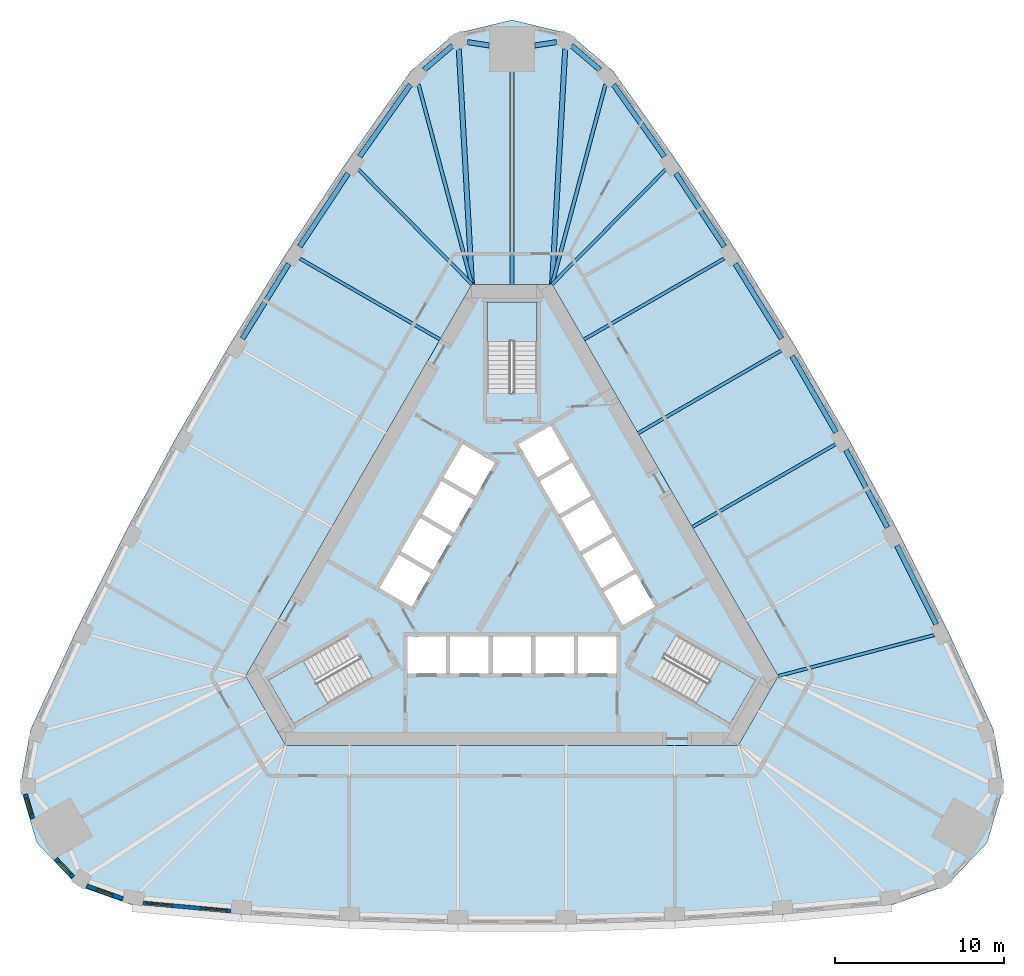
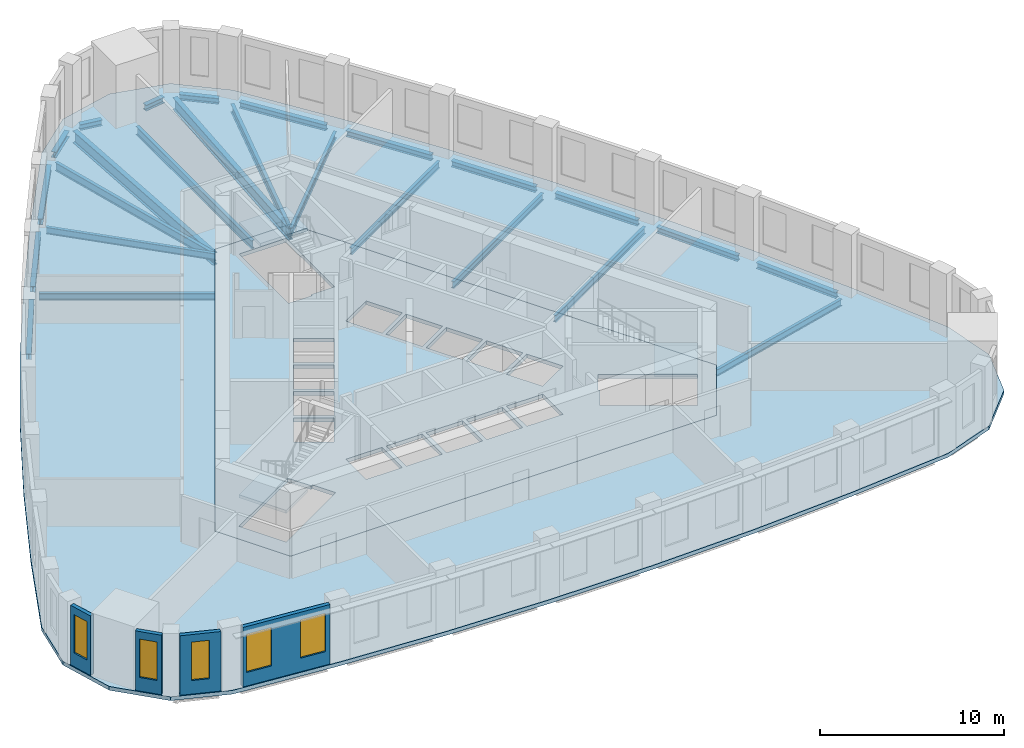
# One storey, part 2 of 9: 25 beams, 5 slabs, 5 windows, 4 walls, 5 openings, 3 elements without a shape of their own.
"""IFC4 building model written with IfcOpenShell, lengths in metres."""

from ifc_helpers import new_model, si_unit, direction, frame, frame_2d, origin, origin_2d, place, context, subcontext, project, spatial, polyline, rectangle, i_section, outline, extrude, material, layer, layer_set, material_profile, profile_set, type_object, element, fill, aggregate, save


model = new_model("IFC4")

# Units and contexts
model_context = context("Model", 3, precision=1e-05, world=origin(), true_north=direction((0.0, 1.0)))
body_context = subcontext(model_context, "Body", "Model", "MODEL_VIEW")
ifc_project = project(units=[si_unit("LENGTHUNIT", "METRE"), si_unit("AREAUNIT", "SQUARE_METRE"), si_unit("VOLUMEUNIT", "CUBIC_METRE"), si_unit("PLANEANGLEUNIT", "RADIAN"), si_unit("MASSUNIT", "GRAM", prefix="KILO")], contexts=[model_context])

# Site, building, storey
site_placement = place(None, origin())
site = spatial("IfcSite", under=ifc_project, at=site_placement, CompositionType="ELEMENT")
building_placement = place(site_placement, origin())
building = spatial("IfcBuilding", under=site, at=building_placement, Name="Mestral Congress Tower", CompositionType="ELEMENT")
storey_placement = place(building_placement, frame((0.0, 0.0, 187.800048828125)))
storey = spatial("IfcBuildingStorey", under=building, at=storey_placement, Name="L44", CompositionType="ELEMENT", Elevation=187.800048828125)

# Beams
ifc_material_1 = material(Name="Steel S355", Category="steel")
ifc_material_profile_1 = material_profile(ifc_material_1, i_section(OverallWidth=0.300048828125, OverallDepth=0.800048828125, WebThickness=0.017578125, FlangeThickness=0.032958984375, FilletRadius=0.030029296875, at=origin_2d()), Name="HEB 800")
ifc_profile_set_1 = profile_set([ifc_material_profile_1], Name="Steel S355")
beam_type_1 = type_object("IfcBeamType", Name="Floor beam HEB 800 S355", PredefinedType="BEAM", material=ifc_profile_set_1)
for number, where, z_axis, x_axis, name in (
    (1, (3.143798828125, 30.703857421875, -0.650146484375), (-0.055769084972, -0.998443693536, 0.0), (0.998443693536, -0.055769084972, 0.0), "BM-L44-RB3-N1"),
    (2, (-3.143798828125, 30.703857421875, -0.650146484375), (0.055769084972, -0.998443693536, 0.0), (0.998443693536, 0.055769084972, 0.0), "BM-L44-RB3-N3"),
):
    element("IfcBeam", number, at=place(storey_placement, frame(where, z_axis=z_axis, x_axis=x_axis)), inside=storey, type_object=beam_type_1, Name=name, PredefinedType="BEAM", context=body_context, shape_type="SweptSolid", body=[
        extrude(i_section(OverallWidth=0.300048828125, OverallDepth=0.800048828125, WebThickness=0.017578125, FlangeThickness=0.032958984375, FilletRadius=0.030029296875, at=origin_2d()), origin(), (0.0, 0.0, 1.0), 13.925537109375),
    ])
ifc_material_profile_2 = material_profile(ifc_material_1, i_section(OverallWidth=0.18994140625, OverallDepth=0.449951171875, WebThickness=0.009521484375, FlangeThickness=0.0146484375, FilletRadius=0.02099609375, at=origin_2d()), Name="IPE 450")
ifc_profile_set_2 = profile_set([ifc_material_profile_2], Name="Steel S355")
beam_type_2 = type_object("IfcBeamType", Name="Floor beam IPE 450 S355", PredefinedType="BEAM", material=ifc_profile_set_2)
beam_1_placement = place(storey_placement, frame((24.938232421875, -3.93505859375, -0.47509765625), z_axis=(-0.967265999603, -0.253764627187, 0.0), x_axis=(0.253764627187, -0.967265999603, 0.0)))
element("IfcBeam", 3, at=beam_1_placement, inside=storey, type_object=beam_type_2, Name="BM-L44-RB3-E01", PredefinedType="BEAM", context=body_context, shape_type="SweptSolid", body=[
    extrude(i_section(OverallWidth=0.18994140625, OverallDepth=0.449951171875, WebThickness=0.009521484375, FlangeThickness=0.0146484375, FilletRadius=0.02099609375, at=origin_2d()), origin(), (0.0, 0.0, 1.0), 9.516845703125),
])
beam_2_placement = place(storey_placement, frame((19.100830078125, 7.332763671875, -0.47509765625), z_axis=(-0.866036015824, -0.499981618958, 0.0), x_axis=(0.499981618958, -0.866036015824, 0.0)))
element("IfcBeam", 4, at=beam_2_placement, inside=storey, type_object=beam_type_2, Name="BM-L44-RB3-E03", PredefinedType="BEAM", context=body_context, shape_type="SweptSolid", body=[
    extrude(i_section(OverallWidth=0.18994140625, OverallDepth=0.449951171875, WebThickness=0.009521484375, FlangeThickness=0.0146484375, FilletRadius=0.02099609375, at=origin_2d()), origin(), (0.0, 0.0, 1.0), 9.758056640625),
])
beam_3_placement = place(storey_placement, frame((15.90087890625, 12.875244140625, -0.47509765625), z_axis=(-0.866025182435, -0.500000383388, 0.0), x_axis=(0.500000383388, -0.866025182435, 0.0)))
element("IfcBeam", 5, at=beam_3_placement, inside=storey, type_object=beam_type_2, Name="BM-L44-RB3-E04", PredefinedType="BEAM", context=body_context, shape_type="SweptSolid", body=[
    extrude(i_section(OverallWidth=0.18994140625, OverallDepth=0.449951171875, WebThickness=0.009521484375, FlangeThickness=0.0146484375, FilletRadius=0.02099609375, at=origin_2d()), origin(), (0.0, 0.0, 1.0), 9.75830078125),
])
beam_4_placement = place(storey_placement, frame((12.532958984375, 18.317138671875, -0.47509765625), z_axis=(-0.866022320763, -0.500005339912, 0.0), x_axis=(0.500005339912, -0.866022320763, 0.0)))
element("IfcBeam", 6, at=beam_4_placement, inside=storey, type_object=beam_type_2, Name="BM-L44-RB3-E05", PredefinedType="BEAM", context=body_context, shape_type="SweptSolid", body=[
    extrude(i_section(OverallWidth=0.18994140625, OverallDepth=0.449951171875, WebThickness=0.009521484375, FlangeThickness=0.0146484375, FilletRadius=0.02099609375, at=origin_2d()), origin(), (0.0, 0.0, 1.0), 9.5625),
])
for number, where, z_axis, x_axis, name in (
    (7, (9.06103515625, 23.564697265625, -0.47509765625), (-0.703377189025, -0.710816804781, 0.0), (0.710816804781, -0.703377189025, 0.0), "BM-L44-RB3-E06"),
    (8, (-9.06103515625, 23.564697265625, -0.47509765625), (0.703377189025, -0.710816804781, 0.0), (0.710816804781, 0.703377189025, 0.0), "BM-L44-RB3-W01"),
):
    element("IfcBeam", number, at=place(storey_placement, frame(where, z_axis=z_axis, x_axis=x_axis)), inside=storey, type_object=beam_type_2, Name=name, PredefinedType="BEAM", context=body_context, shape_type="SweptSolid", body=[
        extrude(i_section(OverallWidth=0.18994140625, OverallDepth=0.449951171875, WebThickness=0.009521484375, FlangeThickness=0.0146484375, FilletRadius=0.02099609375, at=origin_2d()), origin(), (0.0, 0.0, 1.0), 9.516845703125),
    ])
beam_5_placement = place(storey_placement, frame((-12.532958984375, 18.317138671875, -0.47509765625), z_axis=(0.866022320763, -0.500005339912, 0.0), x_axis=(0.500005339912, 0.866022320763, 0.0)))
element("IfcBeam", 9, at=beam_5_placement, inside=storey, type_object=beam_type_2, Name="BM-L44-RB3-W02", PredefinedType="BEAM", context=body_context, shape_type="SweptSolid", body=[
    extrude(i_section(OverallWidth=0.18994140625, OverallDepth=0.449951171875, WebThickness=0.009521484375, FlangeThickness=0.0146484375, FilletRadius=0.02099609375, at=origin_2d()), origin(), (0.0, 0.0, 1.0), 9.5625),
])
ifc_material_profile_3 = material_profile(ifc_material_1, i_section(OverallWidth=0.2099609375, OverallDepth=0.550048828125, WebThickness=0.010986328125, FlangeThickness=0.01708984375, FilletRadius=0.02392578125, at=origin_2d()), Name="IPE 550")
ifc_profile_set_3 = profile_set([ifc_material_profile_3], Name="Steel S355")
beam_type_3 = type_object("IfcBeamType", Name="Floor beam IPE 550 S355", PredefinedType="BEAM", material=ifc_profile_set_3)
beam_6_placement = place(storey_placement, frame((5.5283203125, 28.609375, -0.525146484375), z_axis=(-0.258577363905, -0.965990552167, 0.0), x_axis=(0.965990552167, -0.258577363905, 0.0)))
element("IfcBeam", 10, at=beam_6_placement, inside=storey, type_object=beam_type_3, Name="BM-L44-RB3-E07", PredefinedType="BEAM", context=body_context, shape_type="SweptSolid", body=[
    extrude(i_section(OverallWidth=0.2099609375, OverallDepth=0.550048828125, WebThickness=0.010986328125, FlangeThickness=0.01708984375, FilletRadius=0.02392578125, at=origin_2d()), origin(), (0.0, 0.0, 1.0), 12.22509765625),
])
beam_7_placement = place(storey_placement, frame((0.0, 29.354248046875, -0.525146484375), z_axis=(0.0, -1.0, 0.0), x_axis=(1.0, 0.0, 0.0)))
element("IfcBeam", 11, at=beam_7_placement, inside=storey, type_object=beam_type_3, Name="BM-L44-RB3-N", PredefinedType="BEAM", context=body_context, shape_type="SweptSolid", body=[
    extrude(i_section(OverallWidth=0.2099609375, OverallDepth=0.550048828125, WebThickness=0.010986328125, FlangeThickness=0.01708984375, FilletRadius=0.02392578125, at=origin_2d()), origin(), (0.0, 0.0, 1.0), 12.55419921875),
])
beam_8_placement = place(storey_placement, frame((-5.5283203125, 28.609375, -0.525146484375), z_axis=(0.258577363905, -0.965990552167, 0.0), x_axis=(0.965990552167, 0.258577363905, 0.0)))
element("IfcBeam", 12, at=beam_8_placement, inside=storey, type_object=beam_type_3, Name="BM-L44-RB3-W00", PredefinedType="BEAM", context=body_context, shape_type="SweptSolid", body=[
    extrude(i_section(OverallWidth=0.2099609375, OverallDepth=0.550048828125, WebThickness=0.010986328125, FlangeThickness=0.01708984375, FilletRadius=0.02392578125, at=origin_2d()), origin(), (0.0, 0.0, 1.0), 12.22509765625),
])
ifc_material_profile_4 = material_profile(ifc_material_1, i_section(OverallWidth=0.300048828125, OverallDepth=0.389892578125, WebThickness=0.010986328125, FlangeThickness=0.01904296875, FilletRadius=0.027099609375, at=origin_2d()), Name="HEA 400")
ifc_profile_set_4 = profile_set([ifc_material_profile_4], Name="Steel S355")
beam_type_4 = type_object("IfcBeamType", Name="Spandrel beam HEA 400 S355", PredefinedType="BEAM", material=ifc_profile_set_4)
beam_9_placement = place(storey_placement, frame((25.064453125, -3.294677734375, -0.445068359375), z_axis=(-0.446255467462, 0.894905613884, 0.0), x_axis=(-0.894905613884, -0.446255467462, 0.0)))
element("IfcBeam", 13, at=beam_9_placement, inside=storey, type_object=beam_type_4, Name="SP-L44-SB3-E01", PredefinedType="BEAM", context=body_context, shape_type="SweptSolid", body=[
    extrude(i_section(OverallWidth=0.300048828125, OverallDepth=0.389892578125, WebThickness=0.010986328125, FlangeThickness=0.01904296875, FilletRadius=0.027099609375, at=origin_2d()), origin(), (0.0, 0.0, 1.0), 5.199462890625),
])
for number, where, z_axis, x_axis, name in (
    (14, (22.1923828125, 2.424072265625, -0.445068359375), (-0.473332458078, 0.880883865291, 0.0), (-0.880883865291, -0.473332458078, 0.0), "SP-L44-SB3-E02"),
    (15, (19.147216796875, 8.052490234375, -0.445068359375), (-0.499992051641, 0.866029992723, 0.0), (-0.866029992723, -0.499992051641, 0.0), "SP-L44-SB3-E03"),
):
    element("IfcBeam", number, at=place(storey_placement, frame(where, z_axis=z_axis, x_axis=x_axis)), inside=storey, type_object=beam_type_4, Name=name, PredefinedType="BEAM", context=body_context, shape_type="SweptSolid", body=[
        extrude(i_section(OverallWidth=0.300048828125, OverallDepth=0.389892578125, WebThickness=0.010986328125, FlangeThickness=0.01904296875, FilletRadius=0.027099609375, at=origin_2d()), origin(), (0.0, 0.0, 1.0), 5.19970703125),
    ])
for number, where, z_axis, x_axis, name in (
    (16, (15.931640625, 13.585693359375, -0.445068359375), (-0.526220441006, 0.8503481919, 0.0), (-0.8503481919, -0.526220441006, 0.0), "SP-L44-SB3-E04"),
    (17, (12.548583984375, 19.017822265625, -0.445068359375), (-0.551901475275, 0.833909324561, 0.0), (-0.833909324561, -0.551901475275, 0.0), "SP-L44-SB3-E05"),
):
    element("IfcBeam", number, at=place(storey_placement, frame(where, z_axis=z_axis, x_axis=x_axis)), inside=storey, type_object=beam_type_4, Name=name, PredefinedType="BEAM", context=body_context, shape_type="SweptSolid", body=[
        extrude(i_section(OverallWidth=0.300048828125, OverallDepth=0.389892578125, WebThickness=0.010986328125, FlangeThickness=0.01904296875, FilletRadius=0.027099609375, at=origin_2d()), origin(), (0.0, 0.0, 1.0), 5.199462890625),
    ])
beam_10_placement = place(storey_placement, frame((9.00146484375, 24.34423828125, -0.445068359375), z_axis=(-0.577107284947, 0.816668342512, 0.0), x_axis=(-0.816668342512, -0.577107284947, 0.0)))
element("IfcBeam", 18, at=beam_10_placement, inside=storey, type_object=beam_type_4, Name="SP-L44-SB3-E06", PredefinedType="BEAM", context=body_context, shape_type="SweptSolid", body=[
    extrude(i_section(OverallWidth=0.300048828125, OverallDepth=0.389892578125, WebThickness=0.010986328125, FlangeThickness=0.01904296875, FilletRadius=0.027099609375, at=origin_2d()), origin(), (0.0, 0.0, 1.0), 5.197509765625),
])
beam_11_placement = place(storey_placement, frame((5.191162109375, 29.47509765625, -0.445068359375), z_axis=(-0.761471479234, 0.648198415852, 0.0), x_axis=(-0.648198415852, -0.761471479234, 0.0)))
element("IfcBeam", 19, at=beam_11_placement, inside=storey, type_object=beam_type_4, Name="SP-L44-SB3-E07", PredefinedType="BEAM", context=body_context, shape_type="SweptSolid", body=[
    extrude(i_section(OverallWidth=0.300048828125, OverallDepth=0.389892578125, WebThickness=0.010986328125, FlangeThickness=0.01904296875, FilletRadius=0.027099609375, at=origin_2d()), origin(), (0.0, 0.0, 1.0), 2.189697265625),
])
for number, where, z_axis, x_axis, name in (
    (20, (2.62353515625, 31.10986328125, -0.445068359375), (-0.988242111203, -0.152897121116, 0.0), (0.152897121116, -0.988242111203, 0.0), "SP-L44-SB3-N1"),
    (21, (-1.35009765625, 30.912841796875, -0.445068359375), (-0.988242111203, 0.152897121116, 0.0), (-0.152897121116, -0.988242111203, 0.0), "SP-L44-SB3-N"),
):
    element("IfcBeam", number, at=place(storey_placement, frame(where, z_axis=z_axis, x_axis=x_axis)), inside=storey, type_object=beam_type_4, Name=name, PredefinedType="BEAM", context=body_context, shape_type="SweptSolid", body=[
        extrude(i_section(OverallWidth=0.300048828125, OverallDepth=0.389892578125, WebThickness=0.010986328125, FlangeThickness=0.01904296875, FilletRadius=0.027099609375, at=origin_2d()), origin(), (0.0, 0.0, 1.0), 1.28857421875),
    ])
beam_12_placement = place(storey_placement, frame((-3.523681640625, 30.89453125, -0.445068359375), z_axis=(-0.761471479234, -0.648198415852, 0.0), x_axis=(0.648198415852, -0.761471479234, 0.0)))
element("IfcBeam", 22, at=beam_12_placement, inside=storey, type_object=beam_type_4, Name="SP-L44-SB3-N3", PredefinedType="BEAM", context=body_context, shape_type="SweptSolid", body=[
    extrude(i_section(OverallWidth=0.300048828125, OverallDepth=0.389892578125, WebThickness=0.010986328125, FlangeThickness=0.01904296875, FilletRadius=0.027099609375, at=origin_2d()), origin(), (0.0, 0.0, 1.0), 2.189697265625),
])
beam_13_placement = place(storey_placement, frame((-6.001953125, 28.5888671875, -0.445068359375), z_axis=(-0.577107284947, -0.816668342512, 0.0), x_axis=(0.816668342512, -0.577107284947, 0.0)))
element("IfcBeam", 23, at=beam_13_placement, inside=storey, type_object=beam_type_4, Name="SP-L44-SB3-W00", PredefinedType="BEAM", context=body_context, shape_type="SweptSolid", body=[
    extrude(i_section(OverallWidth=0.300048828125, OverallDepth=0.389892578125, WebThickness=0.010986328125, FlangeThickness=0.01904296875, FilletRadius=0.027099609375, at=origin_2d()), origin(), (0.0, 0.0, 1.0), 5.197509765625),
])
for number, where, z_axis, x_axis, name in (
    (24, (-9.678955078125, 23.353759765625, -0.445068359375), (-0.551901475275, -0.833909324561, 0.0), (0.833909324561, -0.551901475275, 0.0), "SP-L44-SB3-W01"),
    (25, (-13.195556640625, 18.007080078125, -0.445068359375), (-0.526220441006, -0.8503481919, 0.0), (0.8503481919, -0.526220441006, 0.0), "SP-L44-SB3-W02"),
):
    element("IfcBeam", number, at=place(storey_placement, frame(where, z_axis=z_axis, x_axis=x_axis)), inside=storey, type_object=beam_type_4, Name=name, PredefinedType="BEAM", context=body_context, shape_type="SweptSolid", body=[
        extrude(i_section(OverallWidth=0.300048828125, OverallDepth=0.389892578125, WebThickness=0.010986328125, FlangeThickness=0.01904296875, FilletRadius=0.027099609375, at=origin_2d()), origin(), (0.0, 0.0, 1.0), 5.199462890625),
    ])

# Slabs
ifc_material_2 = material(Name="Concrete C35/45", Category="concrete")
ifc_layer_1 = layer(ifc_material_2, 0.25)
ifc_layer_set_1 = layer_set([ifc_layer_1], Name="Concrete C35/45")
slab_type_1 = type_object("IfcSlabType", Name="Composite floor slab 250", PredefinedType="FLOOR", material=ifc_layer_set_1)
placement_1 = place(storey_placement, frame((0.0, 0.0, -0.25)))
element("IfcSlab", 26, at=placement_1, inside=storey, type_object=slab_type_1, Name="SL-L44", PredefinedType="FLOOR", context=body_context, shape_type="SweptSolid", body=[
    extrude(outline(polyline([(-22.455078125, -19.880126953125), (-25.68212890625, -18.731689453125), (-28.073974609375, -16.20849609375), (-29.06298828125, -12.87548828125), (-28.444091796875, -9.506591796875), (-25.73779296875, -3.63720703125), (-22.8759765625, 2.1025390625), (-19.84033203125, 7.751953125), (-16.633544921875, 13.30615234375), (-13.2587890625, 18.760009765625), (-9.71923828125, 24.1083984375), (-5.9892578125, 29.38671875), (-3.381103515625, 31.607177734375), (0.0, 32.4169921875), (3.381103515625, 31.607177734375), (5.9892578125, 29.38671875), (9.71923828125, 24.1083984375), (13.2587890625, 18.760009765625), (16.633544921875, 13.30615234375), (19.84033203125, 7.751953125), (22.8759765625, 2.1025390625), (25.73779296875, -3.63720703125), (28.444091796875, -9.506591796875), (29.06298828125, -12.87548828125), (28.073974609375, -16.20849609375), (25.68212890625, -18.731689453125), (22.455078125, -19.880126953125), (16.018798828125, -20.47119140625), (9.6171875, -20.862548828125), (3.206787109375, -21.05810546875), (-3.206787109375, -21.05810546875), (-9.6171875, -20.862548828125), (-16.018798828125, -20.47119140625), (-22.455078125, -19.880126953125)]), holes=[polyline([(-2.3671875, 16.800048828125), (-15.73291015625, -6.35009765625), (-13.36572265625, -10.449951171875), (13.36572265625, -10.449951171875), (15.73291015625, -6.35009765625), (2.3671875, 16.800048828125), (-2.3671875, 16.800048828125)])]), origin(), (0.0, 0.0, 1.0), 0.25),
])
ifc_material_3 = material(Name="Concrete C60/75", Category="concrete")
ifc_layer_2 = layer(ifc_material_3, 0.25)
ifc_layer_set_2 = layer_set([ifc_layer_2], Name="Concrete C60/75")
slab_type_2 = type_object("IfcSlabType", Name="Core floor slab RC 250", PredefinedType="FLOOR", material=ifc_layer_set_2)
element("IfcSlab", 27, at=placement_1, inside=storey, type_object=slab_type_2, Name="L44 core floor", PredefinedType="FLOOR", context=body_context, shape_type="SweptSolid", body=[
    extrude(outline(polyline([(13.36572265625, -10.449951171875), (-13.36572265625, -10.449951171875), (-15.73291015625, -6.35009765625), (-2.3671875, 16.800048828125), (2.3671875, 16.800048828125), (15.73291015625, -6.35009765625), (13.36572265625, -10.449951171875)]), holes=[polyline([(-9.8046875, -3.95751953125), (-14.37744140625, -6.59765625), (-12.90234375, -9.15234375), (-8.234619140625, -6.45751953125), (-8.971923828125, -5.179931640625), (-9.0673828125, -5.235107421875), (-9.8046875, -3.95751953125)]), polyline([(-3.905029296875, -4.0), (-6.175048828125, -4.0), (-6.175048828125, -6.199951171875), (-3.905029296875, -6.199951171875), (-3.905029296875, -4.0)]), polyline([(-1.385009765625, -4.0), (-3.655029296875, -4.0), (-3.655029296875, -6.199951171875), (-1.385009765625, -6.199951171875), (-1.385009765625, -4.0)]), polyline([(1.135009765625, -4.0), (-1.135009765625, -4.0), (-1.135009765625, -6.199951171875), (1.135009765625, -6.199951171875), (1.135009765625, -4.0)]), polyline([(-5.921630859375, -2.256591796875), (-4.78662109375, -0.29052734375), (-6.69189453125, 0.809326171875), (-7.826904296875, -1.156494140625), (-5.921630859375, -2.256591796875)]), polyline([(-4.66162109375, -0.07421875), (-3.526611328125, 1.8916015625), (-5.431884765625, 2.99169921875), (-6.56689453125, 1.02587890625), (-4.66162109375, -0.07421875)]), polyline([(-3.401611328125, 2.1083984375), (-2.2666015625, 4.07421875), (-4.171875, 5.174072265625), (-5.306884765625, 3.208251953125), (-3.401611328125, 2.1083984375)]), polyline([(-2.1416015625, 4.29052734375), (-1.006591796875, 6.256591796875), (-2.911865234375, 7.3564453125), (-4.046875, 5.390625), (-2.1416015625, 4.29052734375)]), polyline([(1.47509765625, 10.469970703125), (1.47509765625, 15.75), (-1.47509765625, 15.75), (-1.47509765625, 10.360107421875), (0.0, 10.360107421875), (0.0, 10.469970703125), (1.47509765625, 10.469970703125)]), polyline([(8.329833984375, -6.512451171875), (12.90234375, -9.15234375), (14.37744140625, -6.59765625), (9.70947265625, -3.902587890625), (8.971923828125, -5.179931640625), (9.0673828125, -5.235107421875), (8.329833984375, -6.512451171875)]), polyline([(3.655029296875, -4.0), (1.385009765625, -4.0), (1.385009765625, -6.199951171875), (3.655029296875, -6.199951171875), (3.655029296875, -4.0)]), polyline([(6.175048828125, -4.0), (3.905029296875, -4.0), (3.905029296875, -6.199951171875), (6.175048828125, -6.199951171875), (6.175048828125, -4.0)]), polyline([(5.41650390625, -1.3818359375), (6.551513671875, -3.34765625), (8.456787109375, -2.247802734375), (7.322021484375, -0.28173828125), (5.41650390625, -1.3818359375)]), polyline([(4.156494140625, 0.800537109375), (5.29150390625, -1.165283203125), (7.197021484375, -0.065185546875), (6.06201171875, 1.900634765625), (4.156494140625, 0.800537109375)]), polyline([(2.896484375, 2.98291015625), (4.031494140625, 1.01708984375), (5.93701171875, 2.1171875), (4.802001953125, 4.0830078125), (2.896484375, 2.98291015625)]), polyline([(3.5419921875, 6.265380859375), (1.63671875, 5.165283203125), (2.771484375, 3.199462890625), (4.677001953125, 4.29931640625), (3.5419921875, 6.265380859375)]), polyline([(2.281982421875, 8.44775390625), (0.376708984375, 7.34765625), (1.51171875, 5.3818359375), (3.4169921875, 6.481689453125), (2.281982421875, 8.44775390625)])]), origin(), (0.0, 0.0, 1.0), 0.25),
])

# Stair, slab
stair_type = type_object("IfcStairType", Name="Exit stair 1400", PredefinedType="HALF_TURN_STAIR", material=ifc_material_3)
placement_2 = place(storey_placement, origin())
stair_1 = element("IfcStair", 28, at=placement_2, inside=storey, type_object=stair_type, Name="L44 ST1", PredefinedType="HALF_TURN_STAIR")
ifc_layer_3 = layer(ifc_material_3, 0.199951171875)
ifc_layer_set_3 = layer_set([ifc_layer_3], Name="Concrete C60/75")
slab_type_3 = type_object("IfcSlabType", Name="Exit stair landing 200", PredefinedType="LANDING", material=ifc_layer_set_3)
placement_3 = place(storey_placement, frame((0.0, 0.0, 1.89990234375)))
slab_3 = element("IfcSlab", 29, at=placement_3, type_object=slab_type_3, Name="ST1 landing 1", PredefinedType="LANDING", context=body_context, shape_type="SweptSolid", body=[
    extrude(outline(polyline([(10.879638671875, -7.99609375), (12.364501953125, -5.424072265625), (14.39111328125, -6.593994140625), (12.906005859375, -9.166015625), (10.879638671875, -7.99609375)])), origin(), (0.0, 0.0, 1.0), 0.199951171875),
])
aggregate(stair_1, [slab_3])

stair_2 = element("IfcStair", 30, at=placement_2, inside=storey, type_object=stair_type, Name="L44 ST2", PredefinedType="HALF_TURN_STAIR")
slab_4 = element("IfcSlab", 31, at=placement_3, type_object=slab_type_3, Name="ST2 landing 1", PredefinedType="LANDING", context=body_context, shape_type="SweptSolid", body=[
    extrude(outline(polyline([(1.485107421875, 13.419921875), (-1.485107421875, 13.419921875), (-1.485107421875, 15.760009765625), (1.485107421875, 15.760009765625), (1.485107421875, 13.419921875)])), origin(), (0.0, 0.0, 1.0), 0.199951171875),
])
aggregate(stair_2, [slab_4])

stair_3 = element("IfcStair", 32, at=placement_2, inside=storey, type_object=stair_type, Name="L44 ST3", PredefinedType="HALF_TURN_STAIR")
slab_5 = element("IfcSlab", 33, at=placement_3, type_object=slab_type_3, Name="ST3 landing 1", PredefinedType="LANDING", context=body_context, shape_type="SweptSolid", body=[
    extrude(outline(polyline([(-12.364501953125, -5.424072265625), (-10.879638671875, -7.99609375), (-12.906005859375, -9.166015625), (-14.39111328125, -6.593994140625), (-12.364501953125, -5.424072265625)])), origin(), (0.0, 0.0, 1.0), 0.199951171875),
])
aggregate(stair_3, [slab_5])

# Wall, openings, windows
ifc_material_4 = material(Name="Precast concrete C40/50 with limestone facing", Category="masonry")
ifc_layer_4 = layer(ifc_material_4, 0.239990234375)
ifc_layer_set_4 = layer_set([ifc_layer_4], Name="Precast concrete C40/50 with limestone facing")
wall_type = type_object("IfcWallType", Name="Facade stone wall 240", PredefinedType="SOLIDWALL", material=ifc_layer_set_4)
wall_1_placement = place(storey_placement, frame((-21.797119140625, -19.769775390625, 0.0), z_axis=(0.0, 0.0, 1.0), x_axis=(0.995808712151, -0.091460422067, 0.0)))
wall_1 = element("IfcWall", 34, at=wall_1_placement, inside=storey, type_object=wall_type, Name="Facade wall F0-00", PredefinedType="SOLIDWALL", context=body_context, shape_type="SweptSolid", body=[
    extrude(rectangle(XDim=5.213134765625, YDim=0.239990234375, at=frame_2d((2.6064453125, 0.0))), origin(), (0.0, 0.0, 1.0), 3.949951171875),
])
opening_1_placement = place(wall_1_placement, frame((0.220947265625, 0.0, 0.89990234375)))
opening_1 = element("IfcOpeningElement", 35, at=opening_1_placement, cuts=wall_1, Name="Opening W4", PredefinedType="OPENING", context=body_context, shape_type="SweptSolid", body=[
    extrude(rectangle(XDim=1.5, YDim=2.550048828125, at=frame_2d((0.75, 1.27490234375))), frame((0.0, 0.1298828125, 0.0), z_axis=(0.0, -1.0, 0.0), x_axis=(1.0, 0.0, 0.0)), (0.0, 0.0, 1.0), 0.260009765625),
])
opening_2_placement = place(wall_1_placement, frame((3.452392578125, 0.0, 0.89990234375)))
opening_2 = element("IfcOpeningElement", 36, at=opening_2_placement, cuts=wall_1, Name="Opening W4", PredefinedType="OPENING", context=body_context, shape_type="SweptSolid", body=[
    extrude(rectangle(XDim=1.5, YDim=2.550048828125, at=frame_2d((0.75, 1.27490234375))), frame((0.0, 0.1298828125, 0.0), z_axis=(0.0, -1.0, 0.0), x_axis=(1.0, 0.0, 0.0)), (0.0, 0.0, 1.0), 0.260009765625),
])
ifc_material_5 = material(Name="Clear low-emissivity double glazing", Category="glass")
window_type_1 = type_object("IfcWindowType", Name="Facade punched window 1500 x 2550 sill 900", PartitioningType="SINGLE_PANEL", PredefinedType="WINDOW", material=ifc_material_5)
window_1_placement = place(opening_1_placement, origin())
window_1 = element("IfcWindow", 37, at=window_1_placement, inside=storey, type_object=window_type_1, Name="Window F0-00a", OverallHeight=2.550048828125, OverallWidth=1.5, PartitioningType="SINGLE_PANEL", PredefinedType="WINDOW", context=body_context, shape_type="SweptSolid", body=[
    extrude(rectangle(XDim=1.5, YDim=2.550048828125, at=frame_2d((0.75, 1.27490234375))), frame((0.0, 0.0400390625, 0.0), z_axis=(0.0, -1.0, 0.0), x_axis=(1.0, 0.0, 0.0)), (0.0, 0.0, 1.0), 0.06005859375),
])
fill(opening_1, window_1)
window_2_placement = place(opening_2_placement, origin())
window_2 = element("IfcWindow", 38, at=window_2_placement, inside=storey, type_object=window_type_1, Name="Window F0-00b", OverallHeight=2.550048828125, OverallWidth=1.5, PartitioningType="SINGLE_PANEL", PredefinedType="WINDOW", context=body_context, shape_type="SweptSolid", body=[
    extrude(rectangle(XDim=1.5, YDim=2.550048828125, at=frame_2d((0.75, 1.27490234375))), frame((0.0, 0.0400390625, 0.0), z_axis=(0.0, -1.0, 0.0), x_axis=(1.0, 0.0, 0.0)), (0.0, 0.0, 1.0), 0.06005859375),
])
fill(opening_2, window_2)

# Wall, opening, window
wall_2_placement = place(storey_placement, frame((-28.747802734375, -13.340087890625, 0.0), z_axis=(0.0, 0.0, 1.0), x_axis=(0.284413721403, -0.958701640281, 0.0)))
wall_2 = element("IfcWall", 39, at=wall_2_placement, inside=storey, type_object=wall_type, Name="Facade wall K2-1", PredefinedType="SOLIDWALL", context=body_context, shape_type="SweptSolid", body=[
    extrude(rectangle(XDim=1.481689453125, YDim=0.239990234375, at=frame_2d((0.74072265625, 0.0))), origin(), (0.0, 0.0, 1.0), 3.949951171875),
])
opening_3_placement = place(wall_2_placement, frame((0.24072265625, 0.0, 0.89990234375)))
opening_3 = element("IfcOpeningElement", 40, at=opening_3_placement, cuts=wall_2, Name="Opening W5", PredefinedType="OPENING", context=body_context, shape_type="SweptSolid", body=[
    extrude(rectangle(XDim=1.0, YDim=2.550048828125, at=frame_2d((0.5, 1.27490234375))), frame((0.0, 0.1298828125, 0.0), z_axis=(0.0, -1.0, 0.0), x_axis=(1.0, 0.0, 0.0)), (0.0, 0.0, 1.0), 0.260009765625),
])
window_type_2 = type_object("IfcWindowType", Name="Facade punched window 1000 x 2550 sill 900", PartitioningType="SINGLE_PANEL", PredefinedType="WINDOW", material=ifc_material_5)
window_3_placement = place(opening_3_placement, origin())
window_3 = element("IfcWindow", 41, at=window_3_placement, inside=storey, type_object=window_type_2, Name="Window K2-1", OverallHeight=2.550048828125, OverallWidth=1.0, PartitioningType="SINGLE_PANEL", PredefinedType="WINDOW", context=body_context, shape_type="SweptSolid", body=[
    extrude(rectangle(XDim=1.0, YDim=2.550048828125, at=frame_2d((0.5, 1.27490234375))), frame((0.0, 0.0400390625, 0.0), z_axis=(0.0, -1.0, 0.0), x_axis=(1.0, 0.0, 0.0)), (0.0, 0.0, 1.0), 0.06005859375),
])
fill(opening_3, window_3)

wall_3_placement = place(storey_placement, frame((-26.946044921875, -17.151123046875, 0.0), z_axis=(0.0, 0.0, 1.0), x_axis=(0.687986858937, -0.725723144133, 0.0)))
wall_3 = element("IfcWall", 42, at=wall_3_placement, inside=storey, type_object=wall_type, Name="Facade wall K2-2", PredefinedType="SOLIDWALL", context=body_context, shape_type="SweptSolid", body=[
    extrude(rectangle(XDim=1.4814453125, YDim=0.239990234375, at=frame_2d((0.74072265625, 0.0))), origin(), (0.0, 0.0, 1.0), 3.949951171875),
])
opening_4_placement = place(wall_3_placement, frame((0.24072265625, 0.0, 0.89990234375)))
opening_4 = element("IfcOpeningElement", 43, at=opening_4_placement, cuts=wall_3, Name="Opening W5", PredefinedType="OPENING", context=body_context, shape_type="SweptSolid", body=[
    extrude(rectangle(XDim=1.0, YDim=2.550048828125, at=frame_2d((0.5, 1.27490234375))), frame((0.0, 0.1298828125, 0.0), z_axis=(0.0, -1.0, 0.0), x_axis=(1.0, 0.0, 0.0)), (0.0, 0.0, 1.0), 0.260009765625),
])
window_4_placement = place(opening_4_placement, origin())
window_4 = element("IfcWindow", 44, at=window_4_placement, inside=storey, type_object=window_type_2, Name="Window K2-2", OverallHeight=2.550048828125, OverallWidth=1.0, PartitioningType="SINGLE_PANEL", PredefinedType="WINDOW", context=body_context, shape_type="SweptSolid", body=[
    extrude(rectangle(XDim=1.0, YDim=2.550048828125, at=frame_2d((0.5, 1.27490234375))), frame((0.0, 0.0400390625, 0.0), z_axis=(0.0, -1.0, 0.0), x_axis=(1.0, 0.0, 0.0)), (0.0, 0.0, 1.0), 0.06005859375),
])
fill(opening_4, window_4)

wall_4_placement = place(storey_placement, frame((-25.12109375, -18.750732421875, 0.0), z_axis=(0.0, 0.0, 1.0), x_axis=(0.942099727267, -0.335332825539, 0.0)))
wall_4 = element("IfcWall", 45, at=wall_4_placement, inside=storey, type_object=wall_type, Name="Facade wall K2-3", PredefinedType="SOLIDWALL", context=body_context, shape_type="SweptSolid", body=[
    extrude(rectangle(XDim=2.25048828125, YDim=0.239990234375, at=frame_2d((1.125244140625, 0.0))), origin(), (0.0, 0.0, 1.0), 3.949951171875),
])
opening_5_placement = place(wall_4_placement, frame((0.625244140625, 0.0, 0.89990234375)))
opening_5 = element("IfcOpeningElement", 46, at=opening_5_placement, cuts=wall_4, Name="Opening W5", PredefinedType="OPENING", context=body_context, shape_type="SweptSolid", body=[
    extrude(rectangle(XDim=1.0, YDim=2.550048828125, at=frame_2d((0.5, 1.27490234375))), frame((0.0, 0.1298828125, 0.0), z_axis=(0.0, -1.0, 0.0), x_axis=(1.0, 0.0, 0.0)), (0.0, 0.0, 1.0), 0.260009765625),
])
window_5_placement = place(opening_5_placement, origin())
window_5 = element("IfcWindow", 47, at=window_5_placement, inside=storey, type_object=window_type_2, Name="Window K2-3", OverallHeight=2.550048828125, OverallWidth=1.0, PartitioningType="SINGLE_PANEL", PredefinedType="WINDOW", context=body_context, shape_type="SweptSolid", body=[
    extrude(rectangle(XDim=1.0, YDim=2.550048828125, at=frame_2d((0.5, 1.27490234375))), frame((0.0, 0.0400390625, 0.0), z_axis=(0.0, -1.0, 0.0), x_axis=(1.0, 0.0, 0.0)), (0.0, 0.0, 1.0), 0.06005859375),
])
fill(opening_5, window_5)

save(model, "model.ifc")
